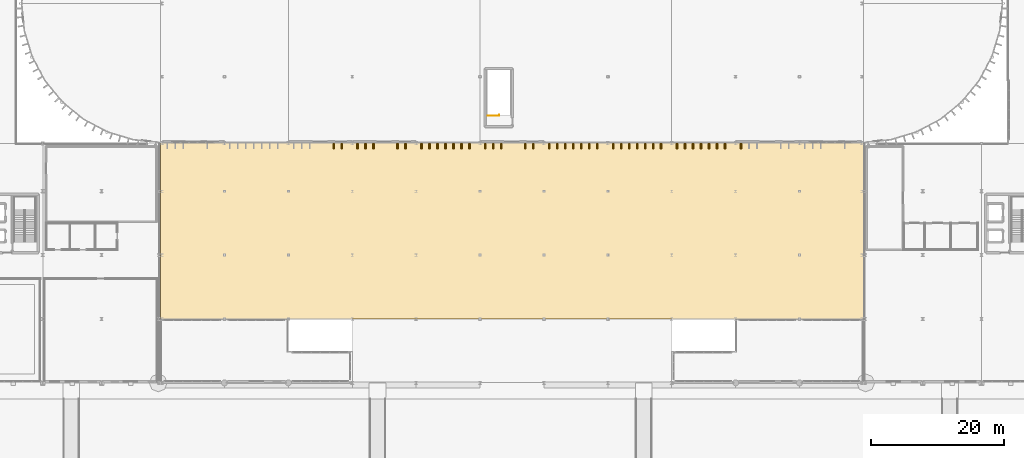
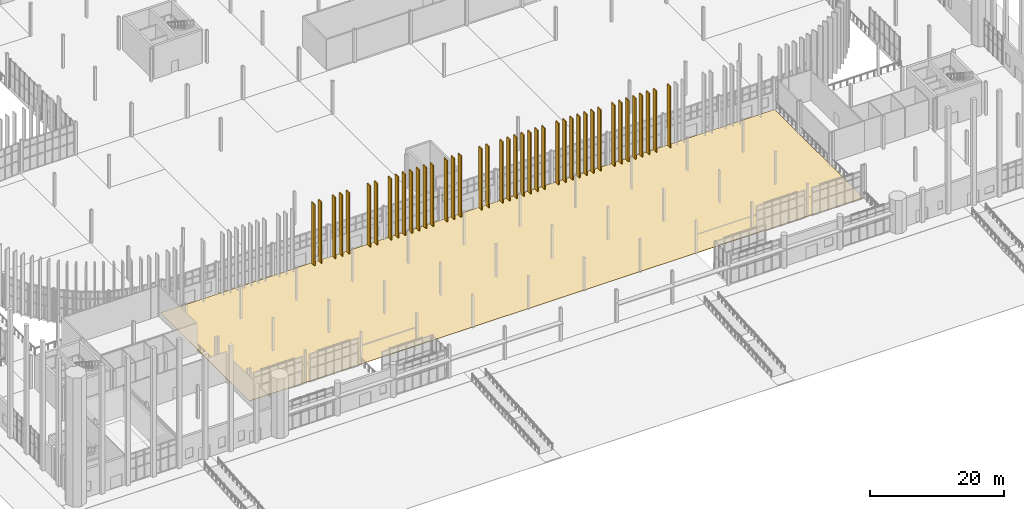
# One storey, part 118 of 139: 42 coverings, 1 railing.
"""IFC4 building model written with IfcOpenShell, lengths in metres."""

from ifc_helpers import new_model, si_unit, direction, frame, origin, origin_2d, place, context, subcontext, project, spatial, polyline, rectangle, circle, outline, extrude, material, layer, layer_set, type_object, element, save


model = new_model("IFC4")

# Units and contexts
model_context = context("Model", 3, precision=1e-05, world=origin(), true_north=direction((0.0, 1.0)))
body_context = subcontext(model_context, "Body", "Model", "MODEL_VIEW")
ifc_project = project(units=[si_unit("LENGTHUNIT", "METRE"), si_unit("AREAUNIT", "SQUARE_METRE"), si_unit("VOLUMEUNIT", "CUBIC_METRE"), si_unit("PLANEANGLEUNIT", "RADIAN"), si_unit("MASSUNIT", "GRAM", prefix="KILO")], contexts=[model_context])

# Site, building, storey
site_placement = place(None, origin())
site = spatial("IfcSite", under=ifc_project, at=site_placement, CompositionType="ELEMENT")
building_placement = place(site_placement, origin())
building = spatial("IfcBuilding", under=site, at=building_placement, Name="Yeouljin Market Hall", CompositionType="ELEMENT")
storey_placement = place(building_placement, origin())
storey = spatial("IfcBuildingStorey", under=building, at=storey_placement, Name="L00", CompositionType="ELEMENT", Elevation=0.0)

# Coverings
ifc_material_1 = material(Name="Pocheon Granite Stone", Category="masonry")
ifc_layer_1 = layer(ifc_material_1, 0.050048828125)
ifc_layer_set_1 = layer_set([ifc_layer_1], Name="Pocheon Granite Stone")
covering_type_1 = type_object("IfcCoveringType", Name="Covering_Granite_PlinthPaving", PredefinedType="FLOORING", material=ifc_layer_set_1)
covering_placement = place(storey_placement, frame((0.0, 0.0, -0.050048828125)))
element("IfcCovering", 1, at=covering_placement, inside=storey, type_object=covering_type_1, Name="Granite plinth exterior apron PAV-SOUTH-COURT-MID", PredefinedType="FLOORING", context=body_context, shape_type="SweptSolid", body=[
    extrude(outline(polyline([(35.39990234375, 9.60009765625), (141.0, 9.60009765625), (141.0, 36.050048828125), (35.39990234375, 36.050048828125), (35.39990234375, 9.60009765625)])), origin(), (0.0, 0.0, 1.0), 0.050048828125),
])
ifc_material_2 = material(Name="White Limestone and Bronze Solar Fin", Category="masonry")
ifc_layer_2 = layer(ifc_material_2, 0.179931640625)
ifc_layer_set_2 = layer_set([ifc_layer_2], Name="White Limestone and Bronze Solar Fin")
covering_type_2 = type_object("IfcCoveringType", Name="Covering_Limestone_SolarFin", PredefinedType="CLADDING", material=ifc_layer_set_2)
for number, where, z_axis, x_axis, name in (
    (2, (61.39990234375, 35.60009765625, 0.0), (0.0, 0.0, 1.0), (1.0, 0.0, 0.0), "Hall south vertical lantern fin 028"),
    (3, (62.60009765625, 35.60009765625, 0.0), (0.0, 0.0, 1.0), (1.0, 0.0, 0.0), "Hall south vertical lantern fin 029"),
    (4, (65.0, 35.60009765625, 0.0), (0.0, 0.0, 1.0), (1.0, 0.0, 0.0), "Hall south vertical lantern fin 030"),
    (5, (66.199951171875, 35.60009765625, 0.0), (0.0, 0.0, 1.0), (1.0, 0.0, 0.0), "Hall south vertical lantern fin 031"),
    (6, (67.39990234375, 35.60009765625, 0.0), (0.0, 0.0, 1.0), (1.0, 0.0, 0.0), "Hall south vertical lantern fin 032"),
    (7, (71.0, 35.60009765625, 0.0), (0.0, 0.0, 1.0), (1.0, 0.0, 0.0), "Hall south vertical lantern fin 033"),
    (8, (72.199951171875, 35.60009765625, 0.0), (0.0, 0.0, 1.0), (1.0, 0.0, 0.0), "Hall south vertical lantern fin 034"),
    (9, (74.60009765625, 35.60009765625, 0.0), (0.0, 0.0, 1.0), (1.0, 0.0, 0.0), "Hall south vertical lantern fin 035"),
    (10, (75.800048828125, 35.60009765625, 0.0), (0.0, 0.0, 1.0), (1.0, 0.0, 0.0), "Hall south vertical lantern fin 036"),
    (11, (77.0, 35.60009765625, 0.0), (0.0, 0.0, 1.0), (1.0, 0.0, 0.0), "Hall south vertical lantern fin 037"),
    (12, (78.199951171875, 35.60009765625, 0.0), (0.0, 0.0, 1.0), (1.0, 0.0, 0.0), "Hall south vertical lantern fin 038"),
    (13, (79.39990234375, 35.60009765625, 0.0), (0.0, 0.0, 1.0), (1.0, 0.0, 0.0), "Hall south vertical lantern fin 039"),
    (14, (80.60009765625, 35.60009765625, 0.0), (0.0, 0.0, 1.0), (1.0, 0.0, 0.0), "Hall south vertical lantern fin 040"),
    (15, (81.800048828125, 35.60009765625, 0.0), (0.0, 0.0, 1.0), (1.0, 0.0, 0.0), "Hall south vertical lantern fin 041"),
    (16, (84.199951171875, 35.60009765625, 0.0), (0.0, 0.0, 1.0), (1.0, 0.0, 0.0), "Hall south vertical lantern fin 042"),
    (17, (85.39990234375, 35.60009765625, 0.0), (0.0, 0.0, 1.0), (1.0, 0.0, 0.0), "Hall south vertical lantern fin 043"),
    (18, (86.60009765625, 35.60009765625, 0.0), (0.0, 0.0, 1.0), (1.0, 0.0, 0.0), "Hall south vertical lantern fin 044"),
    (19, (90.199951171875, 35.60009765625, 0.0), (0.0, 0.0, 1.0), (1.0, 0.0, 0.0), "Hall south vertical lantern fin 045"),
    (20, (91.39990234375, 35.60009765625, 0.0), (0.0, 0.0, 1.0), (1.0, 0.0, 0.0), "Hall south vertical lantern fin 046"),
    (21, (93.800048828125, 35.60009765625, 0.0), (0.0, 0.0, 1.0), (1.0, 0.0, 0.0), "Hall south vertical lantern fin 047"),
    (22, (95.0, 35.60009765625, 0.0), (0.0, 0.0, 1.0), (1.0, 0.0, 0.0), "Hall south vertical lantern fin 048"),
    (23, (96.199951171875, 35.60009765625, 0.0), (0.0, 0.0, 1.0), (1.0, 0.0, 0.0), "Hall south vertical lantern fin 049"),
    (24, (97.39990234375, 35.60009765625, 0.0), (0.0, 0.0, 1.0), (1.0, 0.0, 0.0), "Hall south vertical lantern fin 050"),
    (25, (98.60009765625, 35.60009765625, 0.0), (0.0, 0.0, 1.0), (1.0, 0.0, 0.0), "Hall south vertical lantern fin 051"),
    (26, (99.800048828125, 35.60009765625, 0.0), (0.0, 0.0, 1.0), (1.0, 0.0, 0.0), "Hall south vertical lantern fin 052"),
    (27, (101.0, 35.60009765625, 0.0), (0.0, 0.0, 1.0), (1.0, 0.0, 0.0), "Hall south vertical lantern fin 053"),
    (28, (103.39990234375, 35.60009765625, 0.0), (0.0, 0.0, 1.0), (1.0, 0.0, 0.0), "Hall south vertical lantern fin 054"),
    (29, (104.60009765625, 35.60009765625, 0.0), (0.0, 0.0, 1.0), (1.0, 0.0, 0.0), "Hall south vertical lantern fin 055"),
    (30, (105.800048828125, 35.60009765625, 0.0), (0.0, 0.0, 1.0), (1.0, 0.0, 0.0), "Hall south vertical lantern fin 056"),
    (31, (107.0, 35.60009765625, 0.0), (0.0, 0.0, 1.0), (1.0, 0.0, 0.0), "Hall south vertical lantern fin 057"),
    (32, (108.199951171875, 35.60009765625, 0.0), (0.0, 0.0, 1.0), (1.0, 0.0, 0.0), "Hall south vertical lantern fin 058"),
    (33, (109.39990234375, 35.60009765625, 0.0), (0.0, 0.0, 1.0), (1.0, 0.0, 0.0), "Hall south vertical lantern fin 059"),
    (34, (110.60009765625, 35.60009765625, 0.0), (0.0, 0.0, 1.0), (1.0, 0.0, 0.0), "Hall south vertical lantern fin 060"),
    (35, (113.0, 35.60009765625, 0.0), (0.0, 0.0, 1.0), (1.0, 0.0, 0.0), "Hall south vertical lantern fin 061"),
    (36, (114.199951171875, 35.60009765625, 0.0), (0.0, 0.0, 1.0), (1.0, 0.0, 0.0), "Hall south vertical lantern fin 062"),
    (37, (115.39990234375, 35.60009765625, 0.0), (0.0, 0.0, 1.0), (1.0, 0.0, 0.0), "Hall south vertical lantern fin 063"),
    (38, (116.60009765625, 35.60009765625, 0.0), (0.0, 0.0, 1.0), (1.0, 0.0, 0.0), "Hall south vertical lantern fin 064"),
    (39, (117.800048828125, 35.60009765625, 0.0), (0.0, 0.0, 1.0), (1.0, 0.0, 0.0), "Hall south vertical lantern fin 065"),
    (40, (119.0, 35.60009765625, 0.0), (0.0, 0.0, 1.0), (1.0, 0.0, 0.0), "Hall south vertical lantern fin 066"),
    (41, (120.199951171875, 35.60009765625, 0.0), (0.0, 0.0, 1.0), (1.0, 0.0, 0.0), "Hall south vertical lantern fin 067"),
    (42, (122.60009765625, 35.60009765625, 0.0), (0.0, 0.0, 1.0), (1.0, 0.0, 0.0), "Hall south vertical lantern fin 068"),
):
    element("IfcCovering", number, at=place(storey_placement, frame(where, z_axis=z_axis, x_axis=x_axis)), inside=storey, type_object=covering_type_2, Name=name, PredefinedType="CLADDING", context=body_context, shape_type="SweptSolid", body=[
        extrude(rectangle(XDim=0.179931640625, YDim=0.8798828125, at=origin_2d()), origin(), (0.0, 0.0, 1.0), 11.1201171875),
    ])

# Railing
ifc_material_3 = material(Name="Painted Steel Stair Guardrail", Category="steel")
railing_type = type_object("IfcRailingType", Name="Railing_StairGuard_1200", PredefinedType="GUARDRAIL", material=ifc_material_3)
railing_placement = place(storey_placement, frame((84.550048828125, 40.139892578125, 0.0)))
element("IfcRailing", 43, at=railing_placement, inside=storey, type_object=railing_type, Name="Stair ST-S9-B1 top-floor well guardrail", PredefinedType="GUARDRAIL", context=body_context, shape_type="SweptSolid", body=[
    extrude(circle(Radius=0.02392578125, at=origin_2d()), frame((0.0, 0.0, 1.17578125), z_axis=(1.0, 0.0, 0.0), x_axis=(0.0, 1.0, 0.0)), (0.0, 0.0, 1.0), 1.72998046875),
    extrude(circle(Radius=0.02392578125, at=origin_2d()), frame((1.72998046875, 0.0, 1.17578125), z_axis=(0.0, 1.0, 0.0), x_axis=(-1.0, 0.0, 0.0)), (0.0, 0.0, 1.0), 0.14013671875),
    extrude(circle(Radius=0.02099609375, at=origin_2d()), origin(), (0.0, 0.0, 1.0), 1.15185546875),
    extrude(circle(Radius=0.02099609375, at=origin_2d()), frame((0.864990234375, 0.0, 0.0)), (0.0, 0.0, 1.0), 1.15185546875),
    extrude(circle(Radius=0.02099609375, at=origin_2d()), frame((1.72998046875, 0.0, 0.0)), (0.0, 0.0, 1.0), 1.15185546875),
    extrude(circle(Radius=0.02099609375, at=origin_2d()), frame((1.72998046875, 0.14013671875, 0.0)), (0.0, 0.0, 1.0), 1.15185546875),
])

save(model, "model.ifc")
